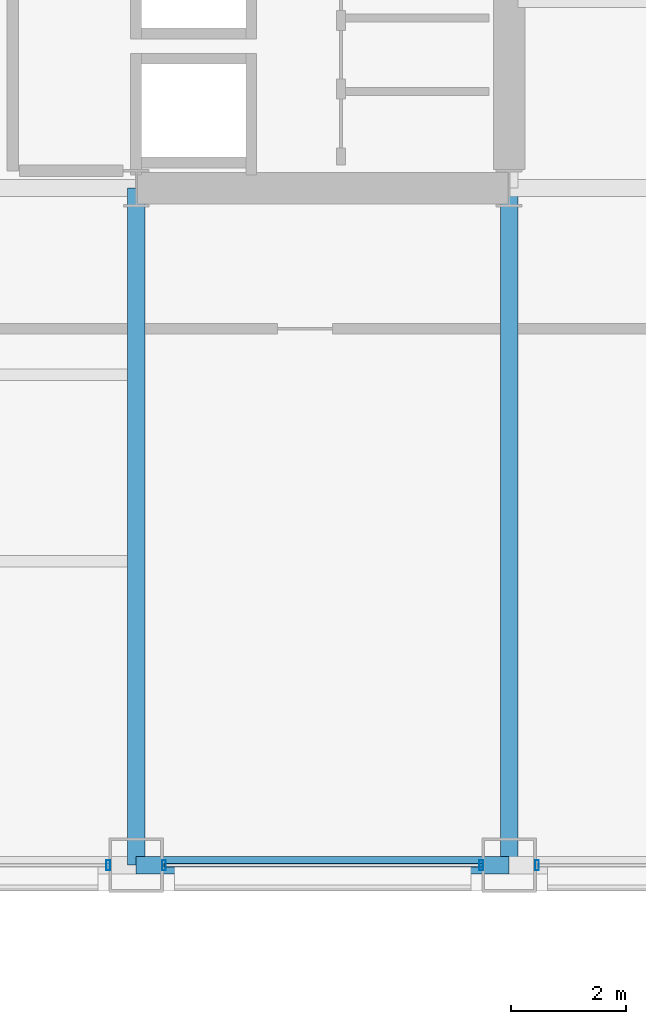
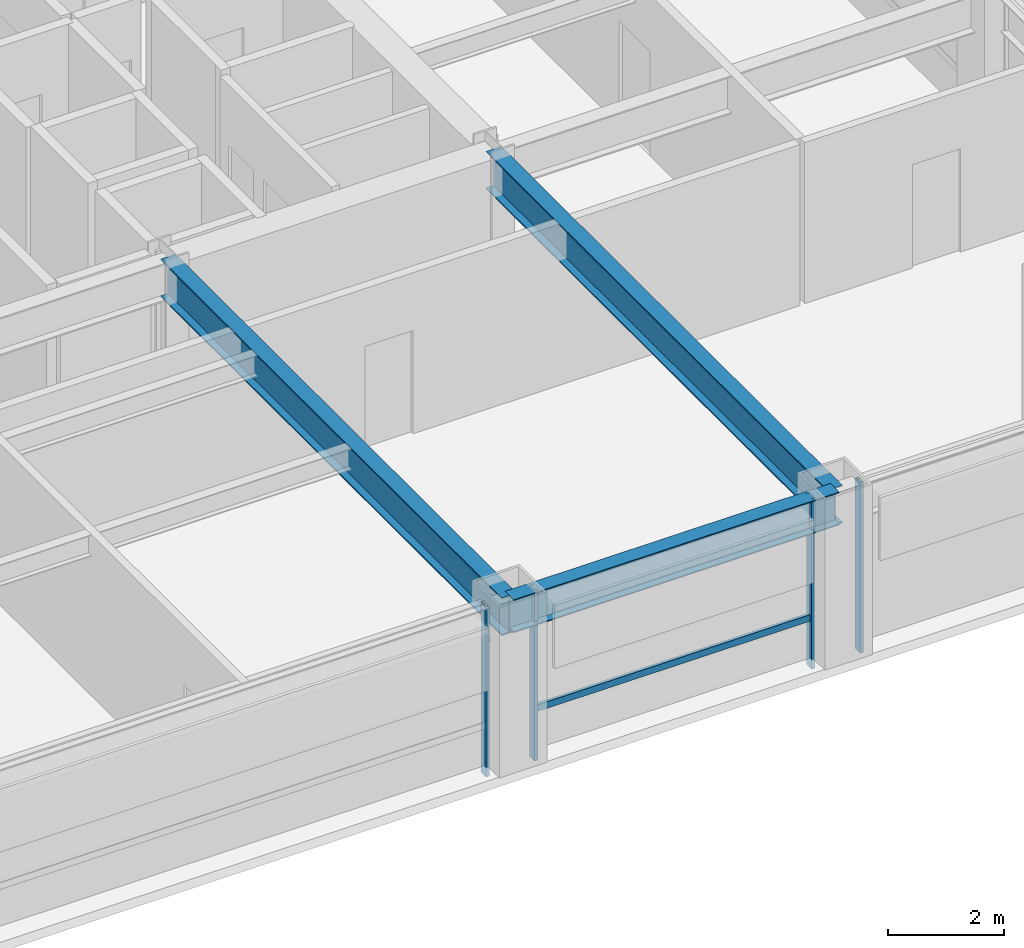
# One storey, part 9 of 28: 5 members, 3 beams, 3 elements without a shape of their own.
"""IFC4 building model written with IfcOpenShell, lengths in metres."""

from ifc_helpers import new_model, si_unit, direction, frame, origin, origin_2d, place, context, subcontext, project, spatial, hollow_rectangle, i_section, extrude, material, layer, layer_set, material_profile, profile_set, type_object, element, aggregate, save


model = new_model("IFC4")

# Units and contexts
model_context = context("Model", 3, precision=1e-05, world=origin(), true_north=direction((0.0, 1.0)))
body_context = subcontext(model_context, "Body", "Model", "MODEL_VIEW")
ifc_project = project(units=[si_unit("LENGTHUNIT", "METRE"), si_unit("AREAUNIT", "SQUARE_METRE"), si_unit("VOLUMEUNIT", "CUBIC_METRE"), si_unit("PLANEANGLEUNIT", "RADIAN"), si_unit("MASSUNIT", "GRAM", prefix="KILO")], contexts=[model_context])

# Site, building, storey
site_placement = place(None, origin())
site = spatial("IfcSite", under=ifc_project, at=site_placement, CompositionType="ELEMENT")
building_placement = place(site_placement, origin())
building = spatial("IfcBuilding", under=site, at=building_placement, Name="Brelmoor Portico Tower", CompositionType="ELEMENT")
storey_placement = place(building_placement, frame((0.0, 0.0, 49.199951171875)))
storey = spatial("IfcBuildingStorey", under=building, at=storey_placement, Name="L12", CompositionType="ELEMENT", Elevation=49.199951171875)

# Beams
ifc_material_1 = material(Name="Steel Q355B", Category="steel")
ifc_material_profile_1 = material_profile(ifc_material_1, i_section(OverallWidth=0.300048828125, OverallDepth=0.800048828125, WebThickness=0.013916015625, FlangeThickness=0.02587890625, at=origin_2d()), Name="HN 800x300x14x26")
ifc_profile_set_1 = profile_set([ifc_material_profile_1], Name="Steel Q355B")
beam_type_1 = type_object("IfcBeamType", Name="BM-PG-800", PredefinedType="BEAM", material=ifc_profile_set_1)
for number, where, z_axis, x_axis, name in (
    (1, (8.050048828125, -21.550048828125, 3.0), (0.0, 1.0, 0.0), (-1.0, 0.0, 0.0), "L12 Primary Floor Girder PG-09"),
    (2, (14.550048828125, -21.550048828125, 3.0), (0.0, 1.0, 0.0), (-1.0, 0.0, 0.0), "L12 Primary Floor Girder PG-11"),
):
    element("IfcBeam", number, at=place(storey_placement, frame(where, z_axis=z_axis, x_axis=x_axis)), inside=storey, type_object=beam_type_1, Name=name, PredefinedType="BEAM", context=body_context, shape_type="SweptSolid", body=[
        extrude(i_section(OverallWidth=0.300048828125, OverallDepth=0.800048828125, WebThickness=0.013916015625, FlangeThickness=0.02587890625, at=origin_2d()), origin(), (0.0, 0.0, 1.0), 11.800048828125),
    ])
ifc_material_profile_2 = material_profile(ifc_material_1, i_section(OverallWidth=0.300048828125, OverallDepth=0.699951171875, WebThickness=0.012939453125, FlangeThickness=0.02392578125, at=origin_2d()), Name="HN 700x300x13x24")
ifc_profile_set_2 = profile_set([ifc_material_profile_2], Name="Steel Q355B")
beam_type_2 = type_object("IfcBeamType", Name="BM-SP-700", PredefinedType="SPANDREL", material=ifc_profile_set_2)
beam_placement = place(storey_placement, frame((8.050048828125, -21.550048828125, 3.050048828125), z_axis=(1.0, 0.0, 0.0), x_axis=(0.0, 1.0, 0.0)))
element("IfcBeam", 3, at=beam_placement, inside=storey, type_object=beam_type_2, Name="L12 Perimeter Spandrel Beam SP-04", PredefinedType="SPANDREL", context=body_context, shape_type="SweptSolid", body=[
    extrude(i_section(OverallWidth=0.300048828125, OverallDepth=0.699951171875, WebThickness=0.012939453125, FlangeThickness=0.02392578125, at=origin_2d()), origin(), (0.0, 0.0, 1.0), 6.5),
])

# Curtain wall, member
ifc_material_2 = material(Name="Anodised Aluminium Alloy 6063-T6", Category="aluminium")
ifc_layer_1 = layer(ifc_material_2, 0.179931640625)
ifc_layer_set_1 = layer_set([ifc_layer_1], Name="Anodised Aluminium Alloy 6063-T6")
curtain_wall_type_1 = type_object("IfcCurtainWallType", Name="CW-TOWER-Z1", PredefinedType="NOTDEFINED", material=ifc_layer_set_1)
curtain_wall_1_placement = place(storey_placement, origin())
curtain_wall_1 = element("IfcCurtainWall", 4, at=curtain_wall_1_placement, inside=storey, type_object=curtain_wall_type_1, Name="L12 Curtain Wall CW-L12-01-3", PredefinedType="NOTDEFINED")
ifc_material_profile_3 = material_profile(ifc_material_2, hollow_rectangle(XDim=0.06494140625, YDim=0.179931640625, WallThickness=0.00390625, at=origin_2d()), Name="ALU MULLION 65x180")
ifc_profile_set_3 = profile_set([ifc_material_profile_3], Name="Anodised Aluminium Alloy 6063-T6")
member_type_1 = type_object("IfcMemberType", Name="MB-CW-MULL-180", PredefinedType="MULLION", material=ifc_profile_set_3)
member_1_placement = place(storey_placement, frame((7.56494140625, -21.550048828125, -0.199951171875), z_axis=(0.0, 0.0, 1.0), x_axis=(1.0, 0.0, 0.0)))
member_1 = element("IfcMember", 5, at=member_1_placement, type_object=member_type_1, Name="CW-L12-01-3 Mullion 01", PredefinedType="MULLION", context=body_context, shape_type="SweptSolid", body=[
    extrude(hollow_rectangle(XDim=0.06494140625, YDim=0.179931640625, WallThickness=0.00390625, at=origin_2d()), origin(), (0.0, 0.0, 1.0), 3.60009765625),
])
aggregate(curtain_wall_1, [member_1])

# Curtain wall, members
curtain_wall_2_placement = place(storey_placement, origin())
curtain_wall_2 = element("IfcCurtainWall", 6, at=curtain_wall_2_placement, inside=storey, type_object=curtain_wall_type_1, Name="L12 Curtain Wall CW-L12-01-4", PredefinedType="NOTDEFINED")
member_2_placement = place(storey_placement, frame((8.534912109375, -21.550048828125, -0.199951171875), z_axis=(0.0, 0.0, 1.0), x_axis=(1.0, 0.0, 0.0)))
member_2 = element("IfcMember", 7, at=member_2_placement, type_object=member_type_1, Name="CW-L12-01-4 Mullion 00", PredefinedType="MULLION", context=body_context, shape_type="SweptSolid", body=[
    extrude(hollow_rectangle(XDim=0.06494140625, YDim=0.179931640625, WallThickness=0.00390625, at=origin_2d()), origin(), (0.0, 0.0, 1.0), 3.60009765625),
])
member_3_placement = place(storey_placement, frame((14.06494140625, -21.550048828125, -0.199951171875), z_axis=(0.0, 0.0, 1.0), x_axis=(1.0, 0.0, 0.0)))
member_3 = element("IfcMember", 8, at=member_3_placement, type_object=member_type_1, Name="CW-L12-01-4 Mullion 01", PredefinedType="MULLION", context=body_context, shape_type="SweptSolid", body=[
    extrude(hollow_rectangle(XDim=0.06494140625, YDim=0.179931640625, WallThickness=0.00390625, at=origin_2d()), origin(), (0.0, 0.0, 1.0), 3.60009765625),
])

# Curtain wall, member
ifc_layer_2 = layer(ifc_material_2, 0.179931640625)
ifc_layer_set_2 = layer_set([ifc_layer_2], Name="Anodised Aluminium Alloy 6063-T6")
curtain_wall_type_2 = type_object("IfcCurtainWallType", Name="CW-TOWER-Z1-XB", PredefinedType="NOTDEFINED", material=ifc_layer_set_2)
curtain_wall_3_placement = place(storey_placement, origin())
curtain_wall_3 = element("IfcCurtainWall", 9, at=curtain_wall_3_placement, inside=storey, type_object=curtain_wall_type_2, Name="L12 Curtain Wall CW-L12-01-5", PredefinedType="NOTDEFINED")
member_4_placement = place(storey_placement, frame((15.034912109375, -21.550048828125, -0.199951171875), z_axis=(0.0, 0.0, 1.0), x_axis=(1.0, 0.0, 0.0)))
member_4 = element("IfcMember", 10, at=member_4_placement, type_object=member_type_1, Name="CW-L12-01-5 Mullion 00", PredefinedType="MULLION", context=body_context, shape_type="SweptSolid", body=[
    extrude(hollow_rectangle(XDim=0.06494140625, YDim=0.179931640625, WallThickness=0.00390625, at=origin_2d()), origin(), (0.0, 0.0, 1.0), 3.60009765625),
])
aggregate(curtain_wall_3, [member_4])

# Member
ifc_material_profile_4 = material_profile(ifc_material_2, hollow_rectangle(XDim=0.06494140625, YDim=0.139892578125, WallThickness=0.00390625, at=origin_2d()), Name="ALU TRANSOM 65x140")
ifc_profile_set_4 = profile_set([ifc_material_profile_4], Name="Anodised Aluminium Alloy 6063-T6")
member_type_2 = type_object("IfcMemberType", Name="MB-CW-TRAN-140", PredefinedType="USERDEFINED", material=ifc_profile_set_4)
member_5_placement = place(storey_placement, frame((8.534912109375, -21.550048828125, 0.85009765625), z_axis=(1.0, 0.0, 0.0), x_axis=(0.0, 1.0, 0.0)))
member_5 = element("IfcMember", 11, at=member_5_placement, type_object=member_type_2, Name="CW-L12-01-4 Transom 1-00", ObjectType="TRANSOM", PredefinedType="USERDEFINED", context=body_context, shape_type="SweptSolid", body=[
    extrude(hollow_rectangle(XDim=0.06494140625, YDim=0.139892578125, WallThickness=0.00390625, at=origin_2d()), origin(), (0.0, 0.0, 1.0), 5.530029296875),
])

aggregate(curtain_wall_2, [member_2, member_3, member_5])

save(model, "model.ifc")
